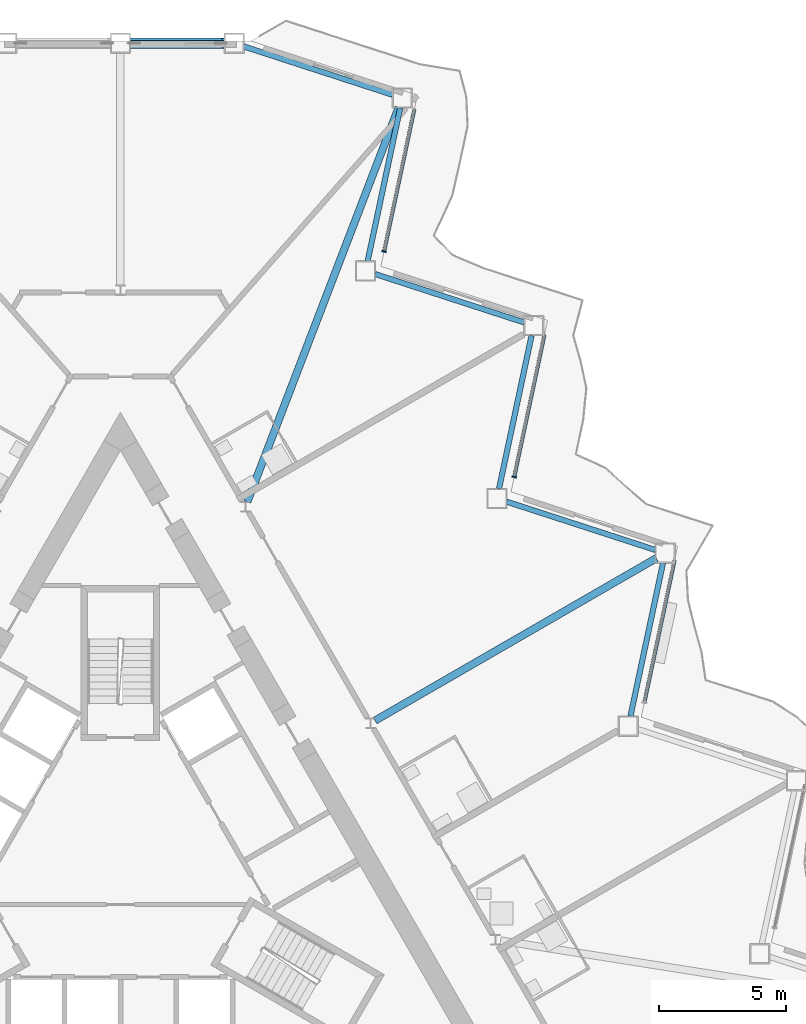
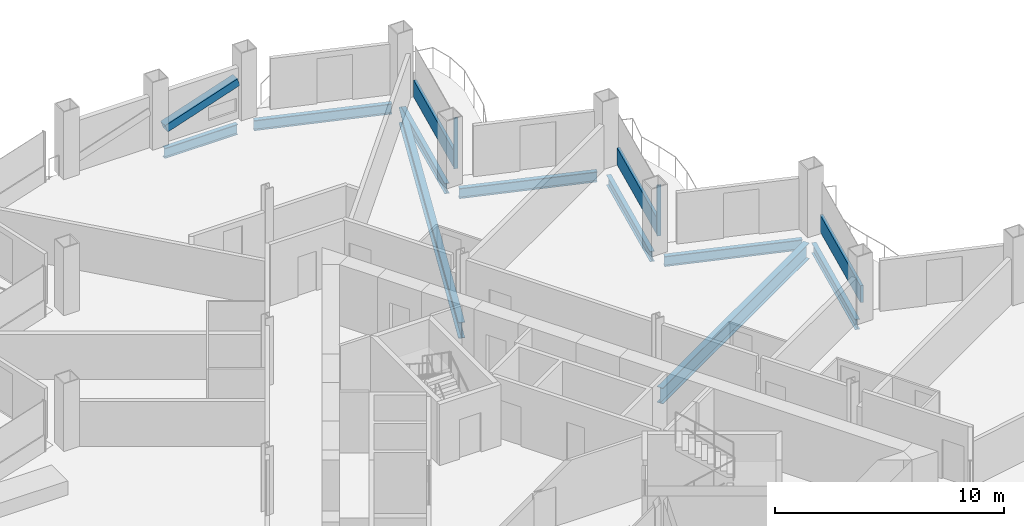
# One storey, part 8 of 23: 9 beams, 6 members, 3 elements without a shape of their own.
"""IFC4 building model written with IfcOpenShell, lengths in metres."""

import ifcopenshell
import ifcopenshell.guid

model = None  # the IFC model being written
_history = None  # IfcOwnerHistory: only IFC2X3 demands one
_inside = {}  # id of a spatial element -> (the spatial element, [elements in it])
_under = {}  # id of a project, library or spatial element -> (it, [spatial elements below it])
_declared = {}  # id of a project -> (the project, [libraries it declares])
_typed = {}  # id of a type object -> (the type object, [elements of that type])
_made_of = {}  # id of a material, layer set ... -> (it, [elements and type objects made of it])


def new_model(schema):
    """Start an empty IFC model of exactly this schema.

    Asked for "IFC4X3", IfcOpenShell would pick the latest addendum, in which some entities
    have other attributes; the version numbers below select the first issue.
    IFC2X3 requires an IfcOwnerHistory on every rooted entity: one is made here for all.
    """
    global model, _history
    if schema == "IFC4X3":
        model = ifcopenshell.file(schema_version=(4, 3, 0, 0))
    else:
        model = ifcopenshell.file(schema=schema)
    _inside.clear()
    _under.clear()
    _declared.clear()
    _typed.clear()
    _made_of.clear()
    _history = None
    if model.schema == "IFC2X3":
        org = make("IfcOrganization", Name="unknown")
        user = make(
            "IfcPersonAndOrganization",
            ThePerson=make("IfcPerson", FamilyName="unknown"),
            TheOrganization=org,
        )
        app = make(
            "IfcApplication",
            ApplicationDeveloper=org,
            Version="unknown",
            ApplicationFullName="unknown",
            ApplicationIdentifier="unknown",
        )
        _history = make(
            "IfcOwnerHistory",
            OwningUser=user,
            OwningApplication=app,
            ChangeAction="ADDED",
            CreationDate=0,
        )
    return model


def make(cls, **values):
    """One entity of the class cls with the attributes given. An attribute that is None is left unset."""
    return model.create_entity(
        cls, **{name: value for name, value in values.items() if value is not None}
    )


def rooted(cls, **values):
    """An entity with a GlobalId (a new one), such as an element, a storey or a relation."""
    return make(cls, GlobalId=ifcopenshell.guid.new(), OwnerHistory=_history, **values)


def si_unit(unit_type, name, prefix=None):
    """IfcSIUnit, for example si_unit("LENGTHUNIT", "METRE", prefix="MILLI")."""
    return make("IfcSIUnit", UnitType=unit_type, Prefix=prefix, Name=name)


def assignment(units):
    """IfcUnitAssignment: the units of a project."""
    return None if units is None else make("IfcUnitAssignment", Units=units)


def point(xyz):
    """IfcCartesianPoint."""
    return None if xyz is None else make("IfcCartesianPoint", Coordinates=xyz)


def direction(xyz):
    """IfcDirection."""
    return None if xyz is None else make("IfcDirection", DirectionRatios=xyz)


def frame(location, z_axis=None, x_axis=None):
    """IfcAxis2Placement3D, a coordinate frame: its origin and axes. An axis left out is left unset."""
    return make(
        "IfcAxis2Placement3D",
        Location=point(location),
        Axis=direction(z_axis),
        RefDirection=direction(x_axis),
    )


def frame_2d(location, x_axis=None):
    """IfcAxis2Placement2D, a coordinate frame in the plane: its origin and x axis."""
    return make(
        "IfcAxis2Placement2D", Location=point(location), RefDirection=direction(x_axis)
    )


def origin():
    """The frame at (0, 0, 0) with its axes left unset."""
    return frame((0.0, 0.0, 0.0))


def origin_2d():
    """The frame at (0, 0) in the plane with its x axis left unset."""
    return frame_2d((0.0, 0.0))


def place(relative_to, where):
    """IfcLocalPlacement: puts the frame where relative to a parent placement (None: the world)."""
    return make(
        "IfcLocalPlacement", PlacementRelTo=relative_to, RelativePlacement=where
    )


def context(
    kind, dimensions, precision=None, world=None, true_north=None, identifier=None
):
    """IfcGeometricRepresentationContext, for example the 3D "Model" context."""
    return make(
        "IfcGeometricRepresentationContext",
        ContextIdentifier=identifier,
        ContextType=kind,
        CoordinateSpaceDimension=dimensions,
        Precision=precision,
        WorldCoordinateSystem=world,
        TrueNorth=true_north,
    )


def subcontext(parent, identifier, kind, view, scale=None):
    """IfcGeometricRepresentationSubContext, for example "Body" below "Model"."""
    return make(
        "IfcGeometricRepresentationSubContext",
        ContextIdentifier=identifier,
        ContextType=kind,
        ParentContext=parent,
        TargetScale=scale,
        TargetView=view,
    )


def project(units=None, contexts=None):
    """IfcProject with its units and contexts."""
    return rooted(
        "IfcProject",
        Name="project",
        RepresentationContexts=contexts,
        UnitsInContext=assignment(units),
    )


def spatial(cls, under=None, at=None, **own):
    """A site, building, storey or space (cls), placed at a placement, below another one or the project."""
    s = rooted(cls, ObjectPlacement=at, **own)
    if under is not None:
        _under.setdefault(under.id(), (under, []))[1].append(s)
    return s


def profile(cls, at=None, kind="AREA", **sizes):
    """A parametric profile (cls). Its sizes go by their IFC names, for example OverallWidth=200.0."""
    return make(cls, ProfileType=kind, Position=at, **sizes)


def rectangle(**sizes):
    """IfcRectangleProfileDef."""
    return profile("IfcRectangleProfileDef", **sizes)


def hollow_rectangle(**sizes):
    """IfcRectangleHollowProfileDef."""
    return profile("IfcRectangleHollowProfileDef", **sizes)


def i_section(**sizes):
    """IfcIShapeProfileDef."""
    return profile("IfcIShapeProfileDef", **sizes)


def extrude(swept, where, along, depth):
    """IfcExtrudedAreaSolid: the profile swept, set in the frame where, extruded along a direction by depth."""
    return make(
        "IfcExtrudedAreaSolid",
        SweptArea=swept,
        Position=where,
        ExtrudedDirection=direction(along),
        Depth=depth,
    )


def shape(context_of_items, identifier, shape_type, items):
    """IfcShapeRepresentation: the items that make up one representation, for example the "Body"."""
    return make(
        "IfcShapeRepresentation",
        ContextOfItems=context_of_items,
        RepresentationIdentifier=identifier,
        RepresentationType=shape_type,
        Items=items,
    )


def material(Name=None, Category=None):
    """IfcMaterial."""
    return make("IfcMaterial", Name=Name, Category=Category)


def layer(
    of_material, thickness, ventilated=None, Name=None, Category=None, Priority=None
):
    """IfcMaterialLayer: one layer of a wall or slab, of a material (None: an air gap)."""
    return make(
        "IfcMaterialLayer",
        Material=of_material,
        LayerThickness=thickness,
        IsVentilated=ventilated,
        Name=Name,
        Category=Category,
        Priority=Priority,
    )


def layer_set(layers, Name=None):
    """IfcMaterialLayerSet."""
    return make("IfcMaterialLayerSet", MaterialLayers=layers, LayerSetName=Name)


def material_profile(
    of_material, cross_section, Name=None, Category=None, Priority=None
):
    """IfcMaterialProfile: a cross section and its material."""
    return make(
        "IfcMaterialProfile",
        Name=Name,
        Material=of_material,
        Profile=cross_section,
        Priority=Priority,
        Category=Category,
    )


def profile_set(profiles, Name=None, composite=None):
    """IfcMaterialProfileSet."""
    return make(
        "IfcMaterialProfileSet",
        Name=Name,
        MaterialProfiles=profiles,
        CompositeProfile=composite,
    )


def made_of(thing, what):
    """Note that an element or type object is made of a material, layer set ...; save() writes the relation."""
    if what is not None:
        _made_of.setdefault(what.id(), (what, []))[1].append(thing)
    return thing


def type_object(cls, material=None, **own):
    """A type object (cls), such as IfcWallType, which elements share."""
    return made_of(rooted(cls, **own), material)


def element(
    cls,
    number,
    at=None,
    inside=None,
    cuts=None,
    type_object=None,
    material=None,
    context=None,
    identifier="Body",
    shape_type=None,
    held_by="IfcProductDefinitionShape",
    body=None,
    shapes=None,
    **own,
):
    """One element of the class cls, such as IfcWall. Its Tag is "e" and its number.

    at: its placement. inside: the storey or other place that contains it. cuts: it is an
    opening in that element (IfcRelVoidsElement). A single representation is given by context,
    identifier, shape_type and body (its items); several are given by shapes. held_by: the class
    of the entity that holds the representations. save() writes the other relations.
    """
    e = rooted(cls, Tag="e%d" % number, ObjectPlacement=at, **own)
    if body is not None:
        shapes = [shape(context, identifier, shape_type, body)]
    if shapes is not None:
        e.Representation = make(held_by, Representations=shapes)
    if inside is not None:
        _inside.setdefault(inside.id(), (inside, []))[1].append(e)
    if cuts is not None:
        rooted(
            "IfcRelVoidsElement", RelatingBuildingElement=cuts, RelatedOpeningElement=e
        )
    if type_object is not None:
        _typed.setdefault(type_object.id(), (type_object, []))[1].append(e)
    return made_of(e, material)


def aggregate(whole, parts):
    """IfcRelAggregates: a whole, such as a stair, and the parts it consists of."""
    return rooted("IfcRelAggregates", RelatingObject=whole, RelatedObjects=parts)


def save(model, path):
    """Write the relations noted so far, then the file.

    IfcRelAggregates (storeys below a building ...), IfcRelContainedInSpatialStructure (elements
    in a storey), IfcRelDefinesByType, IfcRelAssociatesMaterial and IfcRelDeclares: one each for
    every whole, place, type object, material and project.
    """
    for whole, parts in _under.values():
        aggregate(whole, parts)
    for where, things in _inside.values():
        rooted(
            "IfcRelContainedInSpatialStructure",
            RelatedElements=things,
            RelatingStructure=where,
        )
    for kind, things in _typed.values():
        rooted("IfcRelDefinesByType", RelatedObjects=things, RelatingType=kind)
    for what, things in _made_of.values():
        rooted("IfcRelAssociatesMaterial", RelatedObjects=things, RelatingMaterial=what)
    for by, libraries in _declared.values():
        rooted("IfcRelDeclares", RelatingContext=by, RelatedDefinitions=libraries)
    model.write(path)


model = new_model("IFC4")

# Units and contexts
model_context = context("Model", 3, precision=1e-05, world=origin(), true_north=direction((0.0, 1.0)))
body_context = subcontext(model_context, "Body", "Model", "MODEL_VIEW")
ifc_project = project(units=[si_unit("LENGTHUNIT", "METRE"), si_unit("AREAUNIT", "SQUARE_METRE"), si_unit("VOLUMEUNIT", "CUBIC_METRE"), si_unit("PLANEANGLEUNIT", "RADIAN"), si_unit("MASSUNIT", "GRAM", prefix="KILO")], contexts=[model_context])

# Site, building, storey
site_placement = place(None, origin())
site = spatial("IfcSite", under=ifc_project, at=site_placement, CompositionType="ELEMENT")
building_placement = place(site_placement, origin())
building = spatial("IfcBuilding", under=site, at=building_placement, Name="Cormorant Prow Tower", CompositionType="ELEMENT")
storey_placement = place(building_placement, frame((0.0, 0.0, 172.800048828125)))
storey = spatial("IfcBuildingStorey", under=building, at=storey_placement, Name="L36", CompositionType="ELEMENT", Elevation=172.800048828125)

# Member
ifc_material_1 = material(Name="Structural steel ASTM A500 Gr C", Category="steel")
ifc_material_profile_1 = material_profile(ifc_material_1, hollow_rectangle(XDim=0.406494140625, YDim=0.406494140625, WallThickness=0.01171875, at=origin_2d()), Name="HSS16x16x1/2")
ifc_profile_set_1 = profile_set([ifc_material_profile_1], Name="Structural steel ASTM A500 Gr C")
member_type_1 = type_object("IfcMemberType", Name="Chamfer brace HSS16x16x1/2", PredefinedType="BRACE", material=ifc_profile_set_1)
member_1_placement = place(storey_placement, frame((0.417236328125, 32.3994140625, 0.739990234375), z_axis=(0.947999999098, 0.0, 0.318270328039), x_axis=(0.0, 1.0, 0.0)))
element("IfcMember", 1, at=member_1_placement, inside=storey, type_object=member_type_1, Name="Chamfer brace BR2 at N00 L36", PredefinedType="BRACE", context=body_context, shape_type="SweptSolid", body=[
    extrude(hollow_rectangle(XDim=0.406494140625, YDim=0.406494140625, WallThickness=0.01171875, at=origin_2d()), origin(), (0.0, 0.0, 1.0), 3.83544921875),
])

# Curtain wall, member
ifc_material_2 = material(Name="Aluminium 6063-T6", Category="aluminium")
ifc_layer = layer(ifc_material_2, 0.179931640625)
ifc_layer_set = layer_set([ifc_layer], Name="Aluminium 6063-T6")
curtain_wall_type = type_object("IfcCurtainWallType", Name="Hotel unitised curtain wall 180", PredefinedType="NOTDEFINED", material=ifc_layer_set)
curtain_wall_1_placement = place(storey_placement, origin())
curtain_wall_1 = element("IfcCurtainWall", 2, at=curtain_wall_1_placement, inside=storey, type_object=curtain_wall_type, Name="Hotel curtain wall ENE06", PredefinedType="NOTDEFINED")
ifc_material_3 = material(Name="Aluminium 6063-T6", Category="aluminium")
ifc_material_profile_2 = material_profile(ifc_material_3, rectangle(XDim=0.179931640625, YDim=0.06005859375, at=origin_2d()), Name="Hotel mullion 60x180")
ifc_profile_set_2 = profile_set([ifc_material_profile_2], Name="Aluminium 6063-T6")
member_type_2 = type_object("IfcMemberType", Name="Hotel mullion 60x180", PredefinedType="MULLION", material=ifc_profile_set_2)
member_2_placement = place(storey_placement, frame((15.479736328125, 15.357421875, 0.0), z_axis=(0.0, 0.0, 1.0), x_axis=(-0.978147592729, 0.207911728478, 0.0)))
member_2 = element("IfcMember", 3, at=member_2_placement, type_object=member_type_2, Name="Hotel mullion ENE06", PredefinedType="MULLION", context=body_context, shape_type="SweptSolid", body=[
    extrude(rectangle(XDim=0.179931640625, YDim=0.06005859375, at=origin_2d()), origin(), (0.0, 0.0, 1.0), 2.700927734375),
])

curtain_wall_2_placement = place(storey_placement, origin())
curtain_wall_2 = element("IfcCurtainWall", 4, at=curtain_wall_2_placement, inside=storey, type_object=curtain_wall_type, Name="Hotel curtain wall ENE08", PredefinedType="NOTDEFINED")
member_3_placement = place(storey_placement, frame((10.364013671875, 24.218017578125, 0.0), z_axis=(0.0, 0.0, 1.0), x_axis=(-0.978147592729, 0.207911728478, 0.0)))
member_3 = element("IfcMember", 5, at=member_3_placement, type_object=member_type_2, Name="Hotel mullion ENE08", PredefinedType="MULLION", context=body_context, shape_type="SweptSolid", body=[
    extrude(rectangle(XDim=0.179931640625, YDim=0.06005859375, at=origin_2d()), origin(), (0.0, 0.0, 1.0), 2.700927734375),
])

curtain_wall_3_placement = place(storey_placement, origin())
curtain_wall_3 = element("IfcCurtainWall", 6, at=curtain_wall_3_placement, inside=storey, type_object=curtain_wall_type, Name="Hotel curtain wall ENE04", PredefinedType="NOTDEFINED")
ifc_material_4 = material(Name="Terracotta", Category="masonry")
ifc_material_profile_3 = material_profile(ifc_material_4, rectangle(XDim=0.139892578125, YDim=0.89990234375, at=origin_2d()), Name="Hotel terracotta spandrel rail 140x900")
ifc_profile_set_3 = profile_set([ifc_material_profile_3], Name="Terracotta")
member_type_3 = type_object("IfcMemberType", Name="Hotel terracotta spandrel rail 140x900", PredefinedType="USERDEFINED", material=ifc_profile_set_3)
member_4_placement = place(storey_placement, frame((20.6015625, 6.526123046875, 0.449951171875), z_axis=(0.207922412597, 0.978145321688, 0.0), x_axis=(-0.978145321688, 0.207922412597, 0.0)))
member_4 = element("IfcMember", 7, at=member_4_placement, type_object=member_type_3, Name="Hotel spandrel rail ENE04", ObjectType="TRANSOM", PredefinedType="USERDEFINED", context=body_context, shape_type="SweptSolid", body=[
    extrude(rectangle(XDim=0.139892578125, YDim=0.89990234375, at=origin_2d()), origin(), (0.0, 0.0, 1.0), 5.687744140625),
])
aggregate(curtain_wall_3, [member_4])

# Member
member_5_placement = place(storey_placement, frame((15.48583984375, 15.38671875, 0.449951171875), z_axis=(0.207913683204, 0.978147177237, 0.0), x_axis=(-0.978147177237, 0.207913683204, 0.0)))
member_5 = element("IfcMember", 8, at=member_5_placement, type_object=member_type_3, Name="Hotel spandrel rail ENE06", ObjectType="TRANSOM", PredefinedType="USERDEFINED", context=body_context, shape_type="SweptSolid", body=[
    extrude(rectangle(XDim=0.139892578125, YDim=0.89990234375, at=origin_2d()), origin(), (0.0, 0.0, 1.0), 5.68798828125),
])

aggregate(curtain_wall_1, [member_2, member_5])

member_6_placement = place(storey_placement, frame((10.3701171875, 24.24755859375, 0.449951171875), z_axis=(0.207922412597, 0.978145321688, 0.0), x_axis=(-0.978145321688, 0.207922412597, 0.0)))
member_6 = element("IfcMember", 9, at=member_6_placement, type_object=member_type_3, Name="Hotel spandrel rail ENE08", ObjectType="TRANSOM", PredefinedType="USERDEFINED", context=body_context, shape_type="SweptSolid", body=[
    extrude(rectangle(XDim=0.139892578125, YDim=0.89990234375, at=origin_2d()), origin(), (0.0, 0.0, 1.0), 5.687744140625),
])

aggregate(curtain_wall_2, [member_3, member_6])

# Beams
ifc_material_5 = material(Name="Structural steel ASTM A992 Gr 50", Category="steel")
ifc_material_profile_4 = material_profile(ifc_material_5, i_section(OverallWidth=0.29296875, OverallDepth=0.845703125, WebThickness=0.015380859375, FlangeThickness=0.0244140625, at=origin_2d()), Name="W33x141")
ifc_profile_set_4 = profile_set([ifc_material_profile_4], Name="Structural steel ASTM A992 Gr 50")
beam_type_1 = type_object("IfcBeamType", Name="Radial floor beam W33x141", PredefinedType="BEAM", material=ifc_profile_set_4)
beam_1_placement = place(storey_placement, frame((10.0048828125, 5.7763671875, -0.77294921875), z_axis=(0.866026069776, 0.499998846467, 0.0), x_axis=(-0.499998846467, 0.866026069776, 0.0)))
element("IfcBeam", 10, at=beam_1_placement, inside=storey, type_object=beam_type_1, Name="Radial floor beam FB2 11 L36", PredefinedType="BEAM", context=body_context, shape_type="SweptSolid", body=[
    extrude(i_section(OverallWidth=0.29296875, OverallDepth=0.845703125, WebThickness=0.015380859375, FlangeThickness=0.0244140625, at=origin_2d()), origin(), (0.0, 0.0, 1.0), 12.76904296875),
])
beam_2_placement = place(storey_placement, frame((4.9873046875, 14.376220703125, -0.77294921875), z_axis=(0.358301123829, 0.933606075742, 0.0), x_axis=(-0.933606075742, 0.358301123829, 0.0)))
element("IfcBeam", 11, at=beam_2_placement, inside=storey, type_object=beam_type_1, Name="Radial floor beam FB2 12 L36", PredefinedType="BEAM", context=body_context, shape_type="SweptSolid", body=[
    extrude(i_section(OverallWidth=0.29296875, OverallDepth=0.845703125, WebThickness=0.015380859375, FlangeThickness=0.0244140625, at=origin_2d()), origin(), (0.0, 0.0, 1.0), 16.604736328125),
])
ifc_material_6 = material(Name="Structural steel ASTM A992 Gr 50", Category="steel")
ifc_material_profile_5 = material_profile(ifc_material_6, i_section(OverallWidth=0.2138671875, OverallDepth=0.549072265625, WebThickness=0.0146484375, FlangeThickness=0.023681640625, at=origin_2d()), Name="W21x93")
ifc_profile_set_5 = profile_set([ifc_material_profile_5], Name="Structural steel ASTM A992 Gr 50")
beam_type_2 = type_object("IfcBeamType", Name="Spandrel beam W21x93", PredefinedType="SPANDREL", material=ifc_profile_set_5)
beam_3_placement = place(storey_placement, frame((20.0478515625, 5.9541015625, -0.62451171875), z_axis=(0.207904811195, 0.978149063018, 0.0), x_axis=(-0.978149063018, 0.207904811195, 0.0)))
element("IfcBeam", 12, at=beam_3_placement, inside=storey, type_object=beam_type_2, Name="Spandrel beam SB2 ENE04-ENE05 L36", PredefinedType="SPANDREL", context=body_context, shape_type="SweptSolid", body=[
    extrude(i_section(OverallWidth=0.2138671875, OverallDepth=0.549072265625, WebThickness=0.0146484375, FlangeThickness=0.023681640625, at=origin_2d()), origin(), (0.0, 0.0, 1.0), 6.149658203125),
])
beam_4_placement = place(storey_placement, frame((21.029052734375, 12.484375, -0.62451171875), z_axis=(-0.951057696564, 0.309013361859, 0.0), x_axis=(-0.309013361859, -0.951057696564, 0.0)))
element("IfcBeam", 13, at=beam_4_placement, inside=storey, type_object=beam_type_2, Name="Spandrel beam SB2 ENE05-ENE06 L36", PredefinedType="SPANDREL", context=body_context, shape_type="SweptSolid", body=[
    extrude(i_section(OverallWidth=0.2138671875, OverallDepth=0.549072265625, WebThickness=0.0146484375, FlangeThickness=0.023681640625, at=origin_2d()), origin(), (0.0, 0.0, 1.0), 6.14990234375),
])
beam_5_placement = place(storey_placement, frame((14.883056640625, 14.899658203125, -0.62451171875), z_axis=(0.207904811195, 0.978149063018, 0.0), x_axis=(-0.978149063018, 0.207904811195, 0.0)))
element("IfcBeam", 14, at=beam_5_placement, inside=storey, type_object=beam_type_2, Name="Spandrel beam SB2 ENE06-ENE07 L36", PredefinedType="SPANDREL", context=body_context, shape_type="SweptSolid", body=[
    extrude(i_section(OverallWidth=0.2138671875, OverallDepth=0.549072265625, WebThickness=0.0146484375, FlangeThickness=0.023681640625, at=origin_2d()), origin(), (0.0, 0.0, 1.0), 6.149658203125),
])
beam_6_placement = place(storey_placement, frame((15.864501953125, 21.429931640625, -0.62451171875), z_axis=(-0.951057696564, 0.309013361859, 0.0), x_axis=(-0.309013361859, -0.951057696564, 0.0)))
element("IfcBeam", 15, at=beam_6_placement, inside=storey, type_object=beam_type_2, Name="Spandrel beam SB2 ENE07-ENE08 L36", PredefinedType="SPANDREL", context=body_context, shape_type="SweptSolid", body=[
    extrude(i_section(OverallWidth=0.2138671875, OverallDepth=0.549072265625, WebThickness=0.0146484375, FlangeThickness=0.023681640625, at=origin_2d()), origin(), (0.0, 0.0, 1.0), 6.14990234375),
])
beam_7_placement = place(storey_placement, frame((9.71826171875, 23.84521484375, -0.62451171875), z_axis=(0.207904811195, 0.978149063018, 0.0), x_axis=(-0.978149063018, 0.207904811195, 0.0)))
element("IfcBeam", 16, at=beam_7_placement, inside=storey, type_object=beam_type_2, Name="Spandrel beam SB2 ENE08-ENE09 L36", PredefinedType="SPANDREL", context=body_context, shape_type="SweptSolid", body=[
    extrude(i_section(OverallWidth=0.2138671875, OverallDepth=0.549072265625, WebThickness=0.0146484375, FlangeThickness=0.023681640625, at=origin_2d()), origin(), (0.0, 0.0, 1.0), 6.149658203125),
])
beam_8_placement = place(storey_placement, frame((10.69970703125, 30.37548828125, -0.62451171875), z_axis=(-0.951057696564, 0.309013361859, 0.0), x_axis=(-0.309013361859, -0.951057696564, 0.0)))
element("IfcBeam", 17, at=beam_8_placement, inside=storey, type_object=beam_type_2, Name="Spandrel beam SB2 ENE09-N00 L36", PredefinedType="SPANDREL", context=body_context, shape_type="SweptSolid", body=[
    extrude(i_section(OverallWidth=0.2138671875, OverallDepth=0.549072265625, WebThickness=0.0146484375, FlangeThickness=0.023681640625, at=origin_2d()), origin(), (0.0, 0.0, 1.0), 6.14990234375),
])
beam_9_placement = place(storey_placement, frame((4.0703125, 32.3994140625, -0.62451171875), z_axis=(-1.0, 0.0, 0.0), x_axis=(0.0, -1.0, 0.0)))
element("IfcBeam", 18, at=beam_9_placement, inside=storey, type_object=beam_type_2, Name="Spandrel beam SB2 N00-N01 L36", PredefinedType="SPANDREL", context=body_context, shape_type="SweptSolid", body=[
    extrude(i_section(OverallWidth=0.2138671875, OverallDepth=0.549072265625, WebThickness=0.0146484375, FlangeThickness=0.023681640625, at=origin_2d()), origin(), (0.0, 0.0, 1.0), 3.67041015625),
])

save(model, "model.ifc")
